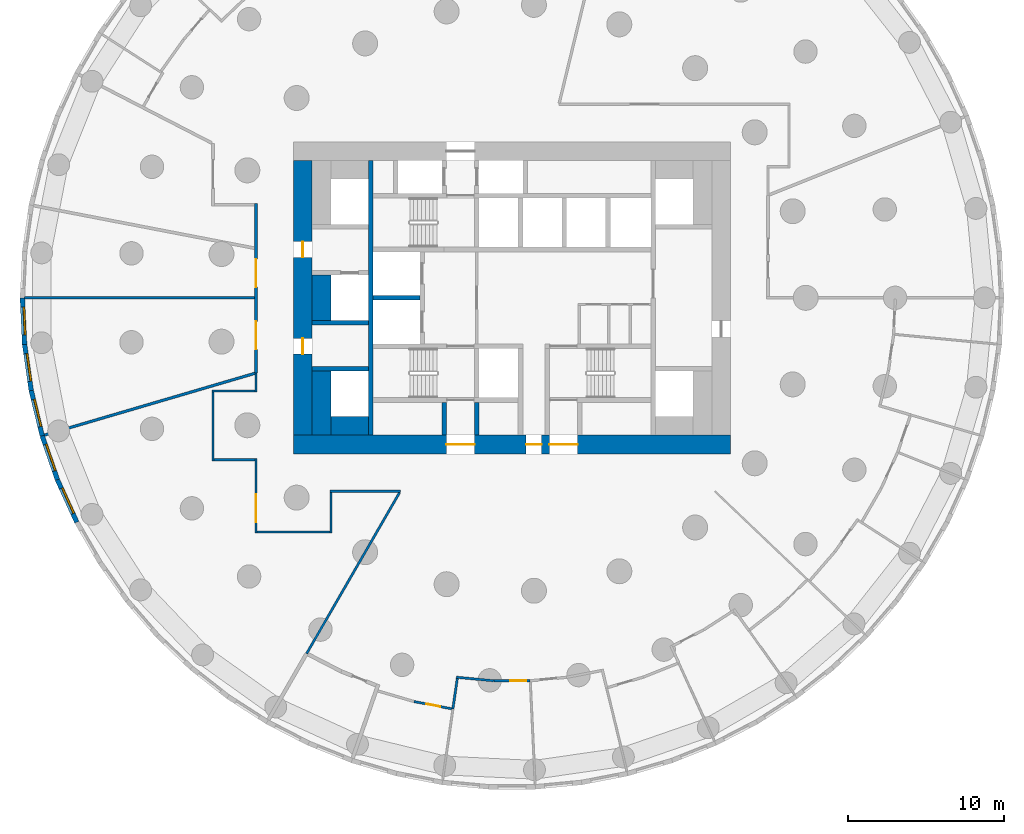
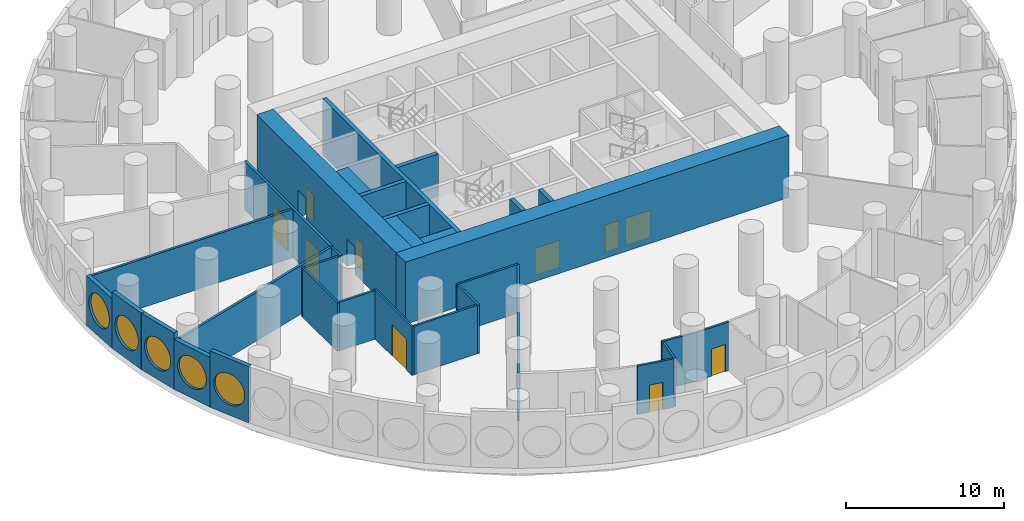
# One storey, part 3 of 11: 32 walls, 10 doors, 5 windows, 15 openings.
"""IFC4 building model written with IfcOpenShell, lengths in metres."""

from ifc_helpers import new_model, si_unit, direction, frame, frame_2d, origin, origin_2d, place, context, subcontext, project, spatial, rectangle, circle, extrude, material, layer, layer_set, type_object, element, fill, save


model = new_model("IFC4")

# Units and contexts
model_context = context("Model", 3, precision=1e-05, world=origin(), true_north=direction((0.0, 1.0)))
body_context = subcontext(model_context, "Body", "Model", "MODEL_VIEW")
ifc_project = project(units=[si_unit("LENGTHUNIT", "METRE"), si_unit("AREAUNIT", "SQUARE_METRE"), si_unit("VOLUMEUNIT", "CUBIC_METRE"), si_unit("PLANEANGLEUNIT", "RADIAN"), si_unit("MASSUNIT", "GRAM", prefix="KILO")], contexts=[model_context])

# Site, building, storey
site_placement = place(None, origin())
site = spatial("IfcSite", under=ifc_project, at=site_placement, CompositionType="ELEMENT")
building_placement = place(site_placement, origin())
building = spatial("IfcBuilding", under=site, at=building_placement, Name="Tracery Tower", CompositionType="ELEMENT")
storey_placement = place(building_placement, frame((0.0, 0.0, 23.39990234375)))
storey = spatial("IfcBuildingStorey", under=building, at=storey_placement, Name="L04", CompositionType="ELEMENT", Elevation=23.39990234375)

# Walls
ifc_material_1 = material(Name="Plasterboard on steel studs", Category="steel")
ifc_layer_1 = layer(ifc_material_1, 0.175048828125)
ifc_layer_set_1 = layer_set([ifc_layer_1], Name="Compartment partition 175")
wall_type_1 = type_object("IfcWallType", Name="Compartment partition 175", PredefinedType="PARTITIONING", material=ifc_layer_set_1)
wall_1_placement = place(storey_placement, frame((-31.224365234375, 0.0, 0.0), z_axis=(0.0, 0.0, 1.0), x_axis=(1.0, 0.0, 0.0)))
element("IfcWall", 1, at=wall_1_placement, inside=storey, type_object=wall_type_1, Name="Compartment partition 175", PredefinedType="PARTITIONING", context=body_context, shape_type="SweptSolid", body=[
    extrude(rectangle(XDim=14.73681640625, YDim=0.175048828125, at=frame_2d((7.368408203125, 0.0))), origin(), (0.0, 0.0, 1.0), 3.75),
])
wall_2_placement = place(storey_placement, frame((-29.95947265625, -8.796875, 0.0), z_axis=(0.0, 0.0, 1.0), x_axis=(0.959495810273, 0.281722895889, 0.0)))
element("IfcWall", 2, at=wall_2_placement, inside=storey, type_object=wall_type_1, Name="Compartment partition 175", PredefinedType="PARTITIONING", context=body_context, shape_type="SweptSolid", body=[
    extrude(rectangle(XDim=14.04052734375, YDim=0.175048828125, at=frame_2d((7.020263671875, 0.0))), origin(), (0.0, 0.0, 1.0), 3.75),
])

# Wall, openings, doors
wall_3_placement = place(storey_placement, frame((-16.39990234375, -4.8154296875, 0.0), z_axis=(0.0, 0.0, 1.0), x_axis=(0.0, 1.0, 0.0)))
wall_3 = element("IfcWall", 3, at=wall_3_placement, inside=storey, type_object=wall_type_1, Name="Compartment partition 175", PredefinedType="PARTITIONING", context=body_context, shape_type="SweptSolid", body=[
    extrude(rectangle(XDim=10.86962890625, YDim=0.175048828125, at=frame_2d((5.434814453125, 0.0))), origin(), (0.0, 0.0, 1.0), 3.75),
])
opening_1_placement = place(wall_3_placement, frame((5.495849609375, 0.0, 0.0)))
opening_1 = element("IfcOpeningElement", 4, at=opening_1_placement, cuts=wall_3, Name="Opening SB-L04-12", PredefinedType="OPENING", context=body_context, shape_type="SweptSolid", body=[
    extrude(rectangle(XDim=1.800048828125, YDim=2.39990234375, at=frame_2d((0.89990234375, 1.199951171875))), frame((0.0, 0.08740234375, 0.0), z_axis=(0.0, -1.0, 0.0), x_axis=(1.0, 0.0, 0.0)), (0.0, 0.0, 1.0), 0.175048828125),
])
opening_2_placement = place(wall_3_placement, frame((1.5078125, 0.0, 0.0)))
opening_2 = element("IfcOpeningElement", 5, at=opening_2_placement, cuts=wall_3, Name="Opening SB-L04-13", PredefinedType="OPENING", context=body_context, shape_type="SweptSolid", body=[
    extrude(rectangle(XDim=1.800048828125, YDim=2.39990234375, at=frame_2d((0.89990234375, 1.199951171875))), frame((0.0, 0.08740234375, 0.0), z_axis=(0.0, -1.0, 0.0), x_axis=(1.0, 0.0, 0.0)), (0.0, 0.0, 1.0), 0.175048828125),
])
ifc_material_2 = material(Name="Glazed aluminium door", Category="aluminium")
door_type_1 = type_object("IfcDoorType", Name="Hall double door 1800", OperationType="DOUBLE_DOOR_SINGLE_SWING", PredefinedType="DOOR", material=ifc_material_2)
door_1_placement = place(opening_1_placement, origin())
door_1 = element("IfcDoor", 6, at=door_1_placement, inside=storey, type_object=door_type_1, Name="Hall double door 1800", OperationType="DOUBLE_DOOR_SINGLE_SWING", OverallHeight=2.39990234375, OverallWidth=1.800048828125, PredefinedType="DOOR", context=body_context, shape_type="SweptSolid", body=[
    extrude(rectangle(XDim=1.800048828125, YDim=2.39990234375, at=frame_2d((0.89990234375, 1.199951171875))), frame((0.0, 0.02490234375, 0.0), z_axis=(0.0, -1.0, 0.0), x_axis=(1.0, 0.0, 0.0)), (0.0, 0.0, 1.0), 0.050048828125),
])
fill(opening_1, door_1)
door_2_placement = place(opening_2_placement, origin())
door_2 = element("IfcDoor", 7, at=door_2_placement, inside=storey, type_object=door_type_1, Name="Hall double door 1800", OperationType="DOUBLE_DOOR_SINGLE_SWING", OverallHeight=2.39990234375, OverallWidth=1.800048828125, PredefinedType="DOOR", context=body_context, shape_type="SweptSolid", body=[
    extrude(rectangle(XDim=1.800048828125, YDim=2.39990234375, at=frame_2d((0.89990234375, 1.199951171875))), frame((0.0, 0.02490234375, 0.0), z_axis=(0.0, -1.0, 0.0), x_axis=(1.0, 0.0, 0.0)), (0.0, 0.0, 1.0), 0.050048828125),
])
fill(opening_2, door_2)

# Walls
ifc_material_3 = material(Name="Concrete C60/75", Category="concrete")
ifc_layer_2 = layer(ifc_material_3, 1.199951171875)
ifc_layer_set_2 = layer_set([ifc_layer_2], Name="Core strip wall 1200 C60")
wall_type_2 = type_object("IfcWallType", Name="Core strip wall 1200 C60", PredefinedType="SOLIDWALL", material=ifc_layer_set_2)
wall_4_placement = place(storey_placement, frame((-12.199951171875, -8.800048828125, 0.0), z_axis=(0.0, 0.0, 1.0), x_axis=(0.0, 1.0, 0.0)))
element("IfcWall", 8, at=wall_4_placement, inside=storey, type_object=wall_type_2, Name="L04 wing strip -1 -9.4", PredefinedType="SOLIDWALL", context=body_context, shape_type="SweptSolid", body=[
    extrude(rectangle(XDim=4.10009765625, YDim=1.199951171875, at=frame_2d((2.050048828125, 0.0))), origin(), (0.0, 0.0, 1.0), 4.35009765625),
])
wall_5_placement = place(storey_placement, frame((-12.199951171875, -1.449951171875, 0.0), z_axis=(0.0, 0.0, 1.0), x_axis=(0.0, 1.0, 0.0)))
element("IfcWall", 9, at=wall_5_placement, inside=storey, type_object=wall_type_2, Name="L04 wing strip -1 -1.6", PredefinedType="SOLIDWALL", context=body_context, shape_type="SweptSolid", body=[
    extrude(rectangle(XDim=2.89990234375, YDim=1.199951171875, at=frame_2d((1.449951171875, 0.0))), origin(), (0.0, 0.0, 1.0), 4.35009765625),
])
wall_6_placement = place(storey_placement, frame((-11.60009765625, -8.199951171875, 0.0), z_axis=(0.0, 0.0, 1.0), x_axis=(1.0, 0.0, 0.0)))
element("IfcWall", 10, at=wall_6_placement, inside=storey, type_object=wall_type_2, Name="L04 wing corner -1 -8.2", PredefinedType="SOLIDWALL", context=body_context, shape_type="SweptSolid", body=[
    extrude(rectangle(XDim=2.400146484375, YDim=1.199951171875, at=frame_2d((1.2001953125, 0.0))), origin(), (0.0, 0.0, 1.0), 4.35009765625),
])

# Wall, openings, doors
ifc_material_4 = material(Name="Concrete C60/75", Category="concrete")
ifc_layer_3 = layer(ifc_material_4, 1.199951171875)
ifc_layer_set_3 = layer_set([ifc_layer_3], Name="Core wall 1200 C60")
wall_type_3 = type_object("IfcWallType", Name="Core wall 1200 C60", PredefinedType="SOLIDWALL", material=ifc_layer_set_3)
wall_7_placement = place(storey_placement, frame((-14.0, -9.39990234375, 0.0), z_axis=(0.0, 0.0, 1.0), x_axis=(1.0, 0.0, 0.0)))
wall_7 = element("IfcWall", 11, at=wall_7_placement, inside=storey, type_object=wall_type_3, Name="L04 outer S", PredefinedType="SOLIDWALL", context=body_context, shape_type="SweptSolid", body=[
    extrude(rectangle(XDim=28.0, YDim=1.199951171875, at=frame_2d((14.0, 0.0))), origin(), (0.0, 0.0, 1.0), 4.800048828125),
])
opening_3_placement = place(wall_7_placement, frame((14.89990234375, 0.0, 0.0)))
opening_3 = element("IfcOpeningElement", 12, at=opening_3_placement, cuts=wall_7, Name="Opening KD16", PredefinedType="OPENING", context=body_context, shape_type="SweptSolid", body=[
    extrude(rectangle(XDim=1.0, YDim=2.10009765625, at=frame_2d((0.5, 1.050048828125))), frame((0.0, 0.60009765625, 0.0), z_axis=(0.0, -1.0, 0.0), x_axis=(1.0, 0.0, 0.0)), (0.0, 0.0, 1.0), 1.199951171875),
])
opening_4_placement = place(wall_7_placement, frame((9.800048828125, 0.0, 0.0)))
opening_4 = element("IfcOpeningElement", 13, at=opening_4_placement, cuts=wall_7, Name="Opening KD13", PredefinedType="OPENING", context=body_context, shape_type="SweptSolid", body=[
    extrude(rectangle(XDim=1.800048828125, YDim=2.10009765625, at=frame_2d((0.89990234375, 1.050048828125))), frame((0.0, 0.60009765625, 0.0), z_axis=(0.0, -1.0, 0.0), x_axis=(1.0, 0.0, 0.0)), (0.0, 0.0, 1.0), 1.199951171875),
])
opening_5_placement = place(wall_7_placement, frame((16.39990234375, 0.0, 0.0)))
opening_5 = element("IfcOpeningElement", 14, at=opening_5_placement, cuts=wall_7, Name="Opening KD13", PredefinedType="OPENING", context=body_context, shape_type="SweptSolid", body=[
    extrude(rectangle(XDim=1.800048828125, YDim=2.10009765625, at=frame_2d((0.89990234375, 1.050048828125))), frame((0.0, 0.60009765625, 0.0), z_axis=(0.0, -1.0, 0.0), x_axis=(1.0, 0.0, 0.0)), (0.0, 0.0, 1.0), 1.199951171875),
])
ifc_material_5 = material(Name="Steel fire door", Category="steel")
door_type_2 = type_object("IfcDoorType", Name="Core exit door 1000", OperationType="NOTDEFINED", PredefinedType="DOOR", material=ifc_material_5)
door_3_placement = place(opening_3_placement, origin())
door_3 = element("IfcDoor", 15, at=door_3_placement, inside=storey, type_object=door_type_2, Name="Core exit door", OperationType="SINGLE_SWING_LEFT", OverallHeight=2.10009765625, OverallWidth=1.0, PredefinedType="DOOR", context=body_context, shape_type="SweptSolid", body=[
    extrude(rectangle(XDim=1.0, YDim=2.10009765625, at=frame_2d((0.5, 1.050048828125))), frame((0.0, 0.02490234375, 0.0), z_axis=(0.0, -1.0, 0.0), x_axis=(1.0, 0.0, 0.0)), (0.0, 0.0, 1.0), 0.050048828125),
])
fill(opening_3, door_3)
ifc_material_6 = material(Name="Steel fire door", Category="steel")
door_type_3 = type_object("IfcDoorType", Name="Core exit door 1800 double", OperationType="NOTDEFINED", PredefinedType="DOOR", material=ifc_material_6)
door_4_placement = place(opening_4_placement, origin())
door_4 = element("IfcDoor", 16, at=door_4_placement, inside=storey, type_object=door_type_3, Name="Core exit door", OperationType="DOUBLE_DOOR_SINGLE_SWING", OverallHeight=2.10009765625, OverallWidth=1.800048828125, PredefinedType="DOOR", context=body_context, shape_type="SweptSolid", body=[
    extrude(rectangle(XDim=1.800048828125, YDim=2.10009765625, at=frame_2d((0.89990234375, 1.050048828125))), frame((0.0, 0.02490234375, 0.0), z_axis=(0.0, -1.0, 0.0), x_axis=(1.0, 0.0, 0.0)), (0.0, 0.0, 1.0), 0.050048828125),
])
fill(opening_4, door_4)
door_5_placement = place(opening_5_placement, origin())
door_5 = element("IfcDoor", 17, at=door_5_placement, inside=storey, type_object=door_type_3, Name="Core exit door", OperationType="DOUBLE_DOOR_SINGLE_SWING", OverallHeight=2.10009765625, OverallWidth=1.800048828125, PredefinedType="DOOR", context=body_context, shape_type="SweptSolid", body=[
    extrude(rectangle(XDim=1.800048828125, YDim=2.10009765625, at=frame_2d((0.89990234375, 1.050048828125))), frame((0.0, 0.02490234375, 0.0), z_axis=(0.0, -1.0, 0.0), x_axis=(1.0, 0.0, 0.0)), (0.0, 0.0, 1.0), 0.050048828125),
])
fill(opening_5, door_5)

wall_8_placement = place(storey_placement, frame((-13.39990234375, -8.800048828125, 0.0), z_axis=(0.0, 0.0, 1.0), x_axis=(0.0, 1.0, 0.0)))
wall_8 = element("IfcWall", 18, at=wall_8_placement, inside=storey, type_object=wall_type_3, Name="L04 outer W", PredefinedType="SOLIDWALL", context=body_context, shape_type="SweptSolid", body=[
    extrude(rectangle(XDim=17.60009765625, YDim=1.199951171875, at=frame_2d((8.800048828125, 0.0))), origin(), (0.0, 0.0, 1.0), 4.800048828125),
])
opening_6_placement = place(wall_8_placement, frame((5.199951171875, 0.0, 0.0)))
opening_6 = element("IfcOpeningElement", 19, at=opening_6_placement, cuts=wall_8, Name="Opening KD18", PredefinedType="OPENING", context=body_context, shape_type="SweptSolid", body=[
    extrude(rectangle(XDim=1.0, YDim=2.10009765625, at=frame_2d((0.5, 1.050048828125))), frame((0.0, 0.60009765625, 0.0), z_axis=(0.0, -1.0, 0.0), x_axis=(1.0, 0.0, 0.0)), (0.0, 0.0, 1.0), 1.199951171875),
])
opening_7_placement = place(wall_8_placement, frame((11.39990234375, 0.0, 0.0)))
opening_7 = element("IfcOpeningElement", 20, at=opening_7_placement, cuts=wall_8, Name="Opening KD18", PredefinedType="OPENING", context=body_context, shape_type="SweptSolid", body=[
    extrude(rectangle(XDim=1.0, YDim=2.10009765625, at=frame_2d((0.5, 1.050048828125))), frame((0.0, 0.60009765625, 0.0), z_axis=(0.0, -1.0, 0.0), x_axis=(1.0, 0.0, 0.0)), (0.0, 0.0, 1.0), 1.199951171875),
])
door_6_placement = place(opening_6_placement, origin())
door_6 = element("IfcDoor", 21, at=door_6_placement, inside=storey, type_object=door_type_2, Name="Core exit door", OperationType="DOUBLE_DOOR_SINGLE_SWING", OverallHeight=2.10009765625, OverallWidth=1.0, PredefinedType="DOOR", context=body_context, shape_type="SweptSolid", body=[
    extrude(rectangle(XDim=1.0, YDim=2.10009765625, at=frame_2d((0.5, 1.050048828125))), frame((0.0, 0.02490234375, 0.0), z_axis=(0.0, -1.0, 0.0), x_axis=(1.0, 0.0, 0.0)), (0.0, 0.0, 1.0), 0.050048828125),
])
fill(opening_6, door_6)
door_7_placement = place(opening_7_placement, origin())
door_7 = element("IfcDoor", 22, at=door_7_placement, inside=storey, type_object=door_type_2, Name="Core exit door", OperationType="DOUBLE_DOOR_SINGLE_SWING", OverallHeight=2.10009765625, OverallWidth=1.0, PredefinedType="DOOR", context=body_context, shape_type="SweptSolid", body=[
    extrude(rectangle(XDim=1.0, YDim=2.10009765625, at=frame_2d((0.5, 1.050048828125))), frame((0.0, 0.02490234375, 0.0), z_axis=(0.0, -1.0, 0.0), x_axis=(1.0, 0.0, 0.0)), (0.0, 0.0, 1.0), 0.050048828125),
])
fill(opening_7, door_7)

# Walls
ifc_material_7 = material(Name="Plasterboard on steel studs", Category="steel")
ifc_layer_4 = layer(ifc_material_7, 0.14990234375)
ifc_layer_set_4 = layer_set([ifc_layer_4], Name="Corridor partition 150")
wall_type_4 = type_object("IfcWallType", Name="Corridor partition 150", PredefinedType="PARTITIONING", material=ifc_layer_set_4)
wall_9_placement = place(storey_placement, frame((-19.083251953125, -10.36669921875, 0.0), z_axis=(0.0, 0.0, 1.0), x_axis=(1.0, 0.0, 0.0)))
element("IfcWall", 23, at=wall_9_placement, inside=storey, type_object=wall_type_4, Name="Corridor partition 150", PredefinedType="PARTITIONING", context=body_context, shape_type="SweptSolid", body=[
    extrude(rectangle(XDim=2.608154296875, YDim=0.14990234375, at=frame_2d((1.30419921875, 0.0))), origin(), (0.0, 0.0, 1.0), 3.75),
])
wall_10_placement = place(storey_placement, frame((-19.158203125, -6.041748046875, 0.0), z_axis=(0.0, 0.0, 1.0), x_axis=(0.0, -1.0, 0.0)))
element("IfcWall", 24, at=wall_10_placement, inside=storey, type_object=wall_type_4, Name="Corridor partition 150", PredefinedType="PARTITIONING", context=body_context, shape_type="SweptSolid", body=[
    extrude(rectangle(XDim=4.39990234375, YDim=0.14990234375, at=frame_2d((2.199951171875, 0.0))), origin(), (0.0, 0.0, 1.0), 3.75),
])
wall_11_placement = place(storey_placement, frame((-16.324951171875, -15.002197265625, 0.0), z_axis=(0.0, 0.0, 1.0), x_axis=(1.0, 0.0, 0.0)))
element("IfcWall", 25, at=wall_11_placement, inside=storey, type_object=wall_type_4, Name="Corridor partition 150", PredefinedType="PARTITIONING", context=body_context, shape_type="SweptSolid", body=[
    extrude(rectangle(XDim=4.65234375, YDim=0.14990234375, at=frame_2d((2.326171875, 0.0))), origin(), (0.0, 0.0, 1.0), 3.75),
])

# Wall, opening, door
wall_12_placement = place(storey_placement, frame((-16.39990234375, -15.077392578125, 0.0), z_axis=(0.0, 0.0, 1.0), x_axis=(0.0, 1.0, 0.0)))
wall_12 = element("IfcWall", 26, at=wall_12_placement, inside=storey, type_object=wall_type_4, Name="Corridor partition 150", PredefinedType="PARTITIONING", context=body_context, shape_type="SweptSolid", body=[
    extrude(rectangle(XDim=4.78564453125, YDim=0.14990234375, at=frame_2d((2.392822265625, 0.0))), origin(), (0.0, 0.0, 1.0), 3.75),
])
opening_8_placement = place(wall_12_placement, frame((0.69287109375, 0.0, 0.0)))
opening_8 = element("IfcOpeningElement", 27, at=opening_8_placement, cuts=wall_12, Name="Opening SB-L04-14", PredefinedType="OPENING", context=body_context, shape_type="SweptSolid", body=[
    extrude(rectangle(XDim=1.800048828125, YDim=2.39990234375, at=frame_2d((0.89990234375, 1.199951171875))), frame((0.0, 0.074951171875, 0.0), z_axis=(0.0, -1.0, 0.0), x_axis=(1.0, 0.0, 0.0)), (0.0, 0.0, 1.0), 0.14990234375),
])
door_8_placement = place(opening_8_placement, origin())
door_8 = element("IfcDoor", 28, at=door_8_placement, inside=storey, type_object=door_type_1, Name="Hall double door 1800", OperationType="DOUBLE_DOOR_SINGLE_SWING", OverallHeight=2.39990234375, OverallWidth=1.800048828125, PredefinedType="DOOR", context=body_context, shape_type="SweptSolid", body=[
    extrude(rectangle(XDim=1.800048828125, YDim=2.39990234375, at=frame_2d((0.89990234375, 1.199951171875))), frame((0.0, 0.02490234375, 0.0), z_axis=(0.0, -1.0, 0.0), x_axis=(1.0, 0.0, 0.0)), (0.0, 0.0, 1.0), 0.050048828125),
])
fill(opening_8, door_8)

# Walls
wall_13_placement = place(storey_placement, frame((-16.47509765625, -5.966796875, 0.0), z_axis=(0.0, 0.0, 1.0), x_axis=(-1.0, 0.0, 0.0)))
element("IfcWall", 29, at=wall_13_placement, inside=storey, type_object=wall_type_4, Name="Corridor partition 150", PredefinedType="PARTITIONING", context=body_context, shape_type="SweptSolid", body=[
    extrude(rectangle(XDim=2.758056640625, YDim=0.14990234375, at=frame_2d((1.37890625, 0.0))), origin(), (0.0, 0.0, 1.0), 3.75),
])
wall_14_placement = place(storey_placement, frame((-16.39990234375, -4.8154296875, 0.0), z_axis=(0.0, 0.0, 1.0), x_axis=(0.0, -1.0, 0.0)))
element("IfcWall", 30, at=wall_14_placement, inside=storey, type_object=wall_type_4, Name="Corridor partition 150", PredefinedType="PARTITIONING", context=body_context, shape_type="SweptSolid", body=[
    extrude(rectangle(XDim=1.226318359375, YDim=0.14990234375, at=frame_2d((0.61328125, 0.0))), origin(), (0.0, 0.0, 1.0), 3.75),
])
wall_15_placement = place(storey_placement, frame((-13.159423828125, -22.792724609375, 0.0), z_axis=(0.0, 0.0, 1.0), x_axis=(0.500009225661, 0.866020077281, 0.0)))
element("IfcWall", 31, at=wall_15_placement, inside=storey, type_object=wall_type_4, Name="Corridor partition 150", PredefinedType="PARTITIONING", context=body_context, shape_type="SweptSolid", body=[
    extrude(rectangle(XDim=11.913818359375, YDim=0.14990234375, at=frame_2d((5.95703125, 0.0))), origin(), (0.0, 0.0, 1.0), 3.75),
])
wall_16_placement = place(storey_placement, frame((-11.59765625, -15.077392578125, 0.0), z_axis=(0.0, 0.0, 1.0), x_axis=(0.0, 1.0, 0.0)))
element("IfcWall", 32, at=wall_16_placement, inside=storey, type_object=wall_type_4, Name="Corridor partition 150", PredefinedType="PARTITIONING", context=body_context, shape_type="SweptSolid", body=[
    extrude(rectangle(XDim=2.602294921875, YDim=0.14990234375, at=frame_2d((1.30126953125, 0.0))), origin(), (0.0, 0.0, 1.0), 3.75),
])
wall_17_placement = place(storey_placement, frame((-11.672607421875, -12.39990234375, 0.0), z_axis=(0.0, 0.0, 1.0), x_axis=(1.0, 0.0, 0.0)))
element("IfcWall", 33, at=wall_17_placement, inside=storey, type_object=wall_type_4, Name="Corridor partition 150", PredefinedType="PARTITIONING", context=body_context, shape_type="SweptSolid", body=[
    extrude(rectangle(XDim=4.513427734375, YDim=0.14990234375, at=frame_2d((2.2568359375, 0.0))), origin(), (0.0, 0.0, 1.0), 3.75),
])

# Wall, opening, door
wall_18_placement = place(storey_placement, frame((-3.862060546875, -26.333984375, 0.0), z_axis=(0.0, 0.0, 1.0), x_axis=(-0.981917073198, 0.189311545773, 0.0)))
wall_18 = element("IfcWall", 34, at=wall_18_placement, inside=storey, type_object=wall_type_4, Name="Corridor partition 150", PredefinedType="PARTITIONING", context=body_context, shape_type="SweptSolid", body=[
    extrude(rectangle(XDim=2.4580078125, YDim=0.14990234375, at=frame_2d((1.22900390625, 0.0))), origin(), (0.0, 0.0, 1.0), 3.75),
])
opening_9_placement = place(wall_18_placement, frame((0.741455078125, 0.0, 0.0)))
opening_9 = element("IfcOpeningElement", 35, at=opening_9_placement, cuts=wall_18, Name="Opening SB-L04-16", PredefinedType="OPENING", context=body_context, shape_type="SweptSolid", body=[
    extrude(rectangle(XDim=0.89990234375, YDim=2.10009765625, at=frame_2d((0.449951171875, 1.050048828125))), frame((0.0, 0.074951171875, 0.0), z_axis=(0.0, -1.0, 0.0), x_axis=(1.0, 0.0, 0.0)), (0.0, 0.0, 1.0), 0.14990234375),
])
ifc_material_8 = material(Name="Timber door leaf", Category="wood")
door_type_4 = type_object("IfcDoorType", Name="Room door 900", OperationType="NOTDEFINED", PredefinedType="DOOR", material=ifc_material_8)
door_9_placement = place(opening_9_placement, origin())
door_9 = element("IfcDoor", 36, at=door_9_placement, inside=storey, type_object=door_type_4, Name="Room door 900", OperationType="SINGLE_SWING_RIGHT", OverallHeight=2.10009765625, OverallWidth=0.89990234375, PredefinedType="DOOR", context=body_context, shape_type="SweptSolid", body=[
    extrude(rectangle(XDim=0.89990234375, YDim=2.10009765625, at=frame_2d((0.449951171875, 1.050048828125))), frame((0.0, 0.02490234375, 0.0), z_axis=(0.0, -1.0, 0.0), x_axis=(1.0, 0.0, 0.0)), (0.0, 0.0, 1.0), 0.050048828125),
])
fill(opening_9, door_9)

# Walls
wall_19_placement = place(storey_placement, frame((-3.788330078125, -26.34814453125, 0.0), z_axis=(0.0, 0.0, 1.0), x_axis=(0.142354685764, 0.989815711858, 0.0)))
element("IfcWall", 37, at=wall_19_placement, inside=storey, type_object=wall_type_4, Name="Corridor partition 150", PredefinedType="PARTITIONING", context=body_context, shape_type="SweptSolid", body=[
    extrude(rectangle(XDim=1.977294921875, YDim=0.14990234375, at=frame_2d((0.98876953125, 0.0))), origin(), (0.0, 0.0, 1.0), 3.75),
])
wall_20_placement = place(storey_placement, frame((-3.57080078125, -24.3095703125, 0.0), z_axis=(0.0, 0.0, 1.0), x_axis=(0.995475896214, -0.095014420263, 0.0)))
element("IfcWall", 38, at=wall_20_placement, inside=storey, type_object=wall_type_4, Name="Corridor partition 150", PredefinedType="PARTITIONING", context=body_context, shape_type="SweptSolid", body=[
    extrude(rectangle(XDim=2.412841796875, YDim=0.14990234375, at=frame_2d((1.20654296875, 0.0))), origin(), (0.0, 0.0, 1.0), 3.75),
])

# Wall, opening, door
wall_21_placement = place(storey_placement, frame((1.1689453125, -24.538818359375, 0.0), z_axis=(0.0, 0.0, 1.0), x_axis=(-1.0, 0.0, 0.0)))
wall_21 = element("IfcWall", 39, at=wall_21_placement, inside=storey, type_object=wall_type_4, Name="Corridor partition 150", PredefinedType="PARTITIONING", context=body_context, shape_type="SweptSolid", body=[
    extrude(rectangle(XDim=2.337890625, YDim=0.14990234375, at=frame_2d((1.1689453125, 0.0))), origin(), (0.0, 0.0, 1.0), 3.75),
])
opening_10_placement = place(wall_21_placement, frame((0.268798828125, 0.0, 0.0)))
opening_10 = element("IfcOpeningElement", 40, at=opening_10_placement, cuts=wall_21, Name="Opening SB-L04-17", PredefinedType="OPENING", context=body_context, shape_type="SweptSolid", body=[
    extrude(rectangle(XDim=1.0, YDim=2.10009765625, at=frame_2d((0.5, 1.050048828125))), frame((0.0, 0.074951171875, 0.0), z_axis=(0.0, -1.0, 0.0), x_axis=(1.0, 0.0, 0.0)), (0.0, 0.0, 1.0), 0.14990234375),
])
ifc_material_9 = material(Name="Timber door leaf", Category="wood")
door_type_5 = type_object("IfcDoorType", Name="Public room door 1000", OperationType="NOTDEFINED", PredefinedType="DOOR", material=ifc_material_9)
door_10_placement = place(opening_10_placement, origin())
door_10 = element("IfcDoor", 41, at=door_10_placement, inside=storey, type_object=door_type_5, Name="Public room door 1000", OperationType="SINGLE_SWING_RIGHT", OverallHeight=2.10009765625, OverallWidth=1.0, PredefinedType="DOOR", context=body_context, shape_type="SweptSolid", body=[
    extrude(rectangle(XDim=1.0, YDim=2.10009765625, at=frame_2d((0.5, 1.050048828125))), frame((0.0, 0.02490234375, 0.0), z_axis=(0.0, -1.0, 0.0), x_axis=(1.0, 0.0, 0.0)), (0.0, 0.0, 1.0), 0.050048828125),
])
fill(opening_10, door_10)

# Wall, opening, window
ifc_material_10 = material(Name="Precast concrete C50/60", Category="concrete")
ifc_layer_5 = layer(ifc_material_10, 0.300048828125)
ifc_layer_set_5 = layer_set([ifc_layer_5], Name="Facade panel 3000 x 3850")
wall_type_5 = type_object("IfcWallType", Name="Facade panel 3000 x 3850", PredefinedType="SOLIDWALL", material=ifc_layer_set_5)
wall_22_placement = place(storey_placement, frame((-31.37451171875, 0.0, 0.0), z_axis=(0.0, 0.0, 1.0), x_axis=(0.047588458579, -0.998867027492, 0.0)))
wall_22 = element("IfcWall", 42, at=wall_22_placement, inside=storey, type_object=wall_type_5, Name="Facade panel 34 at L04", PredefinedType="SOLIDWALL", context=body_context, shape_type="SweptSolid", body=[
    extrude(rectangle(XDim=2.98583984375, YDim=0.300048828125, at=frame_2d((1.492919921875, 0.0))), origin(), (0.0, 0.0, 1.0), 3.85009765625),
])
opening_11_placement = place(wall_22_placement, frame((1.492919921875, 0.0, 2.0)))
opening_11 = element("IfcOpeningElement", 43, at=opening_11_placement, cuts=wall_22, Name="Opening WN2", PredefinedType="OPENING", context=body_context, shape_type="SweptSolid", body=[
    extrude(circle(Radius=1.199951171875, at=origin_2d()), frame((0.0, 0.159912109375, 0.0), z_axis=(0.0, -1.0, 0.0), x_axis=(1.0, 0.0, 0.0)), (0.0, 0.0, 1.0), 0.320068359375),
])
ifc_material_11 = material(Name="Aluminium frame with tinted double glazing", Category="aluminium")
window_type = type_object("IfcWindowType", Name="Round window 2400", PartitioningType="SINGLE_PANEL", PredefinedType="WINDOW", material=ifc_material_11)
window_1_placement = place(opening_11_placement, origin())
window_1 = element("IfcWindow", 44, at=window_1_placement, inside=storey, type_object=window_type, Name="Round window 34 at L04", OverallHeight=2.39990234375, OverallWidth=2.39990234375, PartitioningType="SINGLE_PANEL", PredefinedType="WINDOW", context=body_context, shape_type="SweptSolid", body=[
    extrude(circle(Radius=1.199951171875, at=origin_2d()), frame((0.0, 0.1201171875, 0.0), z_axis=(0.0, -1.0, 0.0), x_axis=(1.0, 0.0, 0.0)), (0.0, 0.0, 1.0), 0.10009765625),
])
fill(opening_11, window_1)

wall_23_placement = place(storey_placement, frame((-30.103515625, -8.839111328125, 0.0), z_axis=(0.0, 0.0, 1.0), x_axis=(0.327074054052, -0.944998710669, 0.0)))
wall_23 = element("IfcWall", 45, at=wall_23_placement, inside=storey, type_object=wall_type_5, Name="Facade panel 37 at L04", PredefinedType="SOLIDWALL", context=body_context, shape_type="SweptSolid", body=[
    extrude(rectangle(XDim=2.98583984375, YDim=0.300048828125, at=frame_2d((1.492919921875, 0.0))), origin(), (0.0, 0.0, 1.0), 3.85009765625),
])
opening_12_placement = place(wall_23_placement, frame((1.492919921875, 0.0, 2.0)))
opening_12 = element("IfcOpeningElement", 46, at=opening_12_placement, cuts=wall_23, Name="Opening WN2", PredefinedType="OPENING", context=body_context, shape_type="SweptSolid", body=[
    extrude(circle(Radius=1.199951171875, at=origin_2d()), frame((0.0, 0.159912109375, 0.0), z_axis=(0.0, -1.0, 0.0), x_axis=(1.0, 0.0, 0.0)), (0.0, 0.0, 1.0), 0.320068359375),
])
window_2_placement = place(opening_12_placement, origin())
window_2 = element("IfcWindow", 47, at=window_2_placement, inside=storey, type_object=window_type, Name="Round window 37 at L04", OverallHeight=2.39990234375, OverallWidth=2.39990234375, PartitioningType="SINGLE_PANEL", PredefinedType="WINDOW", context=body_context, shape_type="SweptSolid", body=[
    extrude(circle(Radius=1.199951171875, at=origin_2d()), frame((0.0, 0.1201171875, 0.0), z_axis=(0.0, -1.0, 0.0), x_axis=(1.0, 0.0, 0.0)), (0.0, 0.0, 1.0), 0.10009765625),
])
fill(opening_12, window_2)

ifc_material_12 = material(Name="Precast concrete C50/60", Category="concrete")
ifc_layer_6 = layer(ifc_material_12, 0.300048828125)
ifc_layer_set_6 = layer_set([ifc_layer_6], Name="Facade panel 3000 x 4350")
wall_type_6 = type_object("IfcWallType", Name="Facade panel 3000 x 4350", PredefinedType="SOLIDWALL", material=ifc_layer_set_6)
wall_24_placement = place(storey_placement, frame((-31.232421875, -2.982421875, 0.0), z_axis=(0.0, 0.0, 1.0), x_axis=(0.142360001917, -0.989814947278, 0.0)))
wall_24 = element("IfcWall", 48, at=wall_24_placement, inside=storey, type_object=wall_type_6, Name="Facade panel 35 at L04", PredefinedType="SOLIDWALL", context=body_context, shape_type="SweptSolid", body=[
    extrude(rectangle(XDim=2.98583984375, YDim=0.300048828125, at=frame_2d((1.492919921875, 0.0))), origin(), (0.0, 0.0, 1.0), 4.35009765625),
])
opening_13_placement = place(wall_24_placement, frame((1.492919921875, 0.0, 2.0)))
opening_13 = element("IfcOpeningElement", 49, at=opening_13_placement, cuts=wall_24, Name="Opening WN2", PredefinedType="OPENING", context=body_context, shape_type="SweptSolid", body=[
    extrude(circle(Radius=1.199951171875, at=origin_2d()), frame((0.0, 0.159912109375, 0.0), z_axis=(0.0, -1.0, 0.0), x_axis=(1.0, 0.0, 0.0)), (0.0, 0.0, 1.0), 0.320068359375),
])
window_3_placement = place(opening_13_placement, origin())
window_3 = element("IfcWindow", 50, at=window_3_placement, inside=storey, type_object=window_type, Name="Round window 35 at L04", OverallHeight=2.39990234375, OverallWidth=2.39990234375, PartitioningType="SINGLE_PANEL", PredefinedType="WINDOW", context=body_context, shape_type="SweptSolid", body=[
    extrude(circle(Radius=1.199951171875, at=origin_2d()), frame((0.0, 0.1201171875, 0.0), z_axis=(0.0, -1.0, 0.0), x_axis=(1.0, 0.0, 0.0)), (0.0, 0.0, 1.0), 0.10009765625),
])
fill(opening_13, window_3)

wall_25_placement = place(storey_placement, frame((-30.807373046875, -5.937744140625, 0.0), z_axis=(0.0, 0.0, 1.0), x_axis=(0.235756834479, -0.971812078026, 0.0)))
wall_25 = element("IfcWall", 51, at=wall_25_placement, inside=storey, type_object=wall_type_6, Name="Facade panel 36 at L04", PredefinedType="SOLIDWALL", context=body_context, shape_type="SweptSolid", body=[
    extrude(rectangle(XDim=2.985595703125, YDim=0.300048828125, at=frame_2d((1.49267578125, 0.0))), origin(), (0.0, 0.0, 1.0), 4.35009765625),
])
opening_14_placement = place(wall_25_placement, frame((1.492919921875, 0.0, 2.0)))
opening_14 = element("IfcOpeningElement", 52, at=opening_14_placement, cuts=wall_25, Name="Opening WN2", PredefinedType="OPENING", context=body_context, shape_type="SweptSolid", body=[
    extrude(circle(Radius=1.199951171875, at=origin_2d()), frame((0.0, 0.159912109375, 0.0), z_axis=(0.0, -1.0, 0.0), x_axis=(1.0, 0.0, 0.0)), (0.0, 0.0, 1.0), 0.320068359375),
])
window_4_placement = place(opening_14_placement, origin())
window_4 = element("IfcWindow", 53, at=window_4_placement, inside=storey, type_object=window_type, Name="Round window 36 at L04", OverallHeight=2.39990234375, OverallWidth=2.39990234375, PartitioningType="SINGLE_PANEL", PredefinedType="WINDOW", context=body_context, shape_type="SweptSolid", body=[
    extrude(circle(Radius=1.199951171875, at=origin_2d()), frame((0.0, 0.1201171875, 0.0), z_axis=(0.0, -1.0, 0.0), x_axis=(1.0, 0.0, 0.0)), (0.0, 0.0, 1.0), 0.10009765625),
])
fill(opening_14, window_4)

wall_26_placement = place(storey_placement, frame((-29.126953125, -11.66064453125, 0.0), z_axis=(0.0, 0.0, 1.0), x_axis=(0.415373250944, -0.909651066289, 0.0)))
wall_26 = element("IfcWall", 54, at=wall_26_placement, inside=storey, type_object=wall_type_6, Name="Facade panel 38 at L04", PredefinedType="SOLIDWALL", context=body_context, shape_type="SweptSolid", body=[
    extrude(rectangle(XDim=2.98583984375, YDim=0.300048828125, at=frame_2d((1.492919921875, 0.0))), origin(), (0.0, 0.0, 1.0), 4.35009765625),
])
opening_15_placement = place(wall_26_placement, frame((1.492919921875, 0.0, 2.0)))
opening_15 = element("IfcOpeningElement", 55, at=opening_15_placement, cuts=wall_26, Name="Opening WN2", PredefinedType="OPENING", context=body_context, shape_type="SweptSolid", body=[
    extrude(circle(Radius=1.199951171875, at=origin_2d()), frame((0.0, 0.159912109375, 0.0), z_axis=(0.0, -1.0, 0.0), x_axis=(1.0, 0.0, 0.0)), (0.0, 0.0, 1.0), 0.320068359375),
])
window_5_placement = place(opening_15_placement, origin())
window_5 = element("IfcWindow", 56, at=window_5_placement, inside=storey, type_object=window_type, Name="Round window 38 at L04", OverallHeight=2.39990234375, OverallWidth=2.39990234375, PartitioningType="SINGLE_PANEL", PredefinedType="WINDOW", context=body_context, shape_type="SweptSolid", body=[
    extrude(circle(Radius=1.199951171875, at=origin_2d()), frame((0.0, 0.1201171875, 0.0), z_axis=(0.0, -1.0, 0.0), x_axis=(1.0, 0.0, 0.0)), (0.0, 0.0, 1.0), 0.10009765625),
])
fill(opening_15, window_5)

# Walls
ifc_material_13 = material(Name="Concrete C60/75", Category="concrete")
ifc_layer_7 = layer(ifc_material_13, 0.300048828125)
ifc_layer_set_7 = layer_set([ifc_layer_7], Name="Shaft wall 300 C60")
wall_type_7 = type_object("IfcWallType", Name="Shaft wall 300 C60", PredefinedType="SOLIDWALL", material=ifc_layer_set_7)
wall_27_placement = place(storey_placement, frame((-8.89990234375, 0.0, 0.0), z_axis=(0.0, 0.0, 1.0), x_axis=(1.0, 0.0, 0.0)))
element("IfcWall", 57, at=wall_27_placement, inside=storey, type_object=wall_type_7, Name="L04 FF split", PredefinedType="SOLIDWALL", context=body_context, shape_type="SweptSolid", body=[
    extrude(rectangle(XDim=3.0, YDim=0.300048828125, at=frame_2d((1.5, 0.0))), origin(), (0.0, 0.0, 1.0), 4.35009765625),
])
wall_28_placement = place(storey_placement, frame((-4.35009765625, -8.800048828125, 0.0), z_axis=(0.0, 0.0, 1.0), x_axis=(0.0, 1.0, 0.0)))
element("IfcWall", 58, at=wall_28_placement, inside=storey, type_object=wall_type_7, Name="L04 band S -4.35", PredefinedType="SOLIDWALL", context=body_context, shape_type="SweptSolid", body=[
    extrude(rectangle(XDim=2.10009765625, YDim=0.300048828125, at=frame_2d((1.050048828125, 0.0))), origin(), (0.0, 0.0, 1.0), 4.35009765625),
])
for number, where, z_axis, x_axis, name in (
    (59, (-12.800048828125, -4.550048828125, 0.0), (0.0, 0.0, 1.0), (1.0, 0.0, 0.0), "L04 wing shaft wall -1 -4.55"),
    (60, (-12.800048828125, -1.60009765625, 0.0), (0.0, 0.0, 1.0), (1.0, 0.0, 0.0), "L04 wing shaft wall -1 -1.60"),
):
    element("IfcWall", number, at=place(storey_placement, frame(where, z_axis=z_axis, x_axis=x_axis)), inside=storey, type_object=wall_type_7, Name=name, PredefinedType="SOLIDWALL", context=body_context, shape_type="SweptSolid", body=[
        extrude(rectangle(XDim=3.60009765625, YDim=0.300048828125, at=frame_2d((1.800048828125, 0.0))), origin(), (0.0, 0.0, 1.0), 4.35009765625),
    ])
ifc_material_14 = material(Name="Concrete C60/75", Category="concrete")
ifc_layer_8 = layer(ifc_material_14, 0.300048828125)
ifc_layer_set_8 = layer_set([ifc_layer_8], Name="Stair wall 300 C60")
wall_type_8 = type_object("IfcWallType", Name="Stair wall 300 C60", PredefinedType="SOLIDWALL", material=ifc_layer_set_8)
wall_29_placement = place(storey_placement, frame((-9.050048828125, -8.800048828125, 0.0), z_axis=(0.0, 0.0, 1.0), x_axis=(0.0, 1.0, 0.0)))
element("IfcWall", 61, at=wall_29_placement, inside=storey, type_object=wall_type_8, Name="L04 F wall -9", PredefinedType="SOLIDWALL", context=body_context, shape_type="SweptSolid", body=[
    extrude(rectangle(XDim=17.60009765625, YDim=0.300048828125, at=frame_2d((8.800048828125, 0.0))), origin(), (0.0, 0.0, 1.0), 4.35009765625),
])
wall_30_placement = place(storey_placement, frame((-2.25, -8.800048828125, 0.0), z_axis=(0.0, 0.0, 1.0), x_axis=(0.0, 1.0, 0.0)))
element("IfcWall", 62, at=wall_30_placement, inside=storey, type_object=wall_type_8, Name="L04 ST1 E out", PredefinedType="SOLIDWALL", context=body_context, shape_type="SweptSolid", body=[
    extrude(rectangle(XDim=2.10009765625, YDim=0.300048828125, at=frame_2d((1.050048828125, 0.0))), origin(), (0.0, 0.0, 1.0), 4.35009765625),
])

save(model, "model.ifc")
